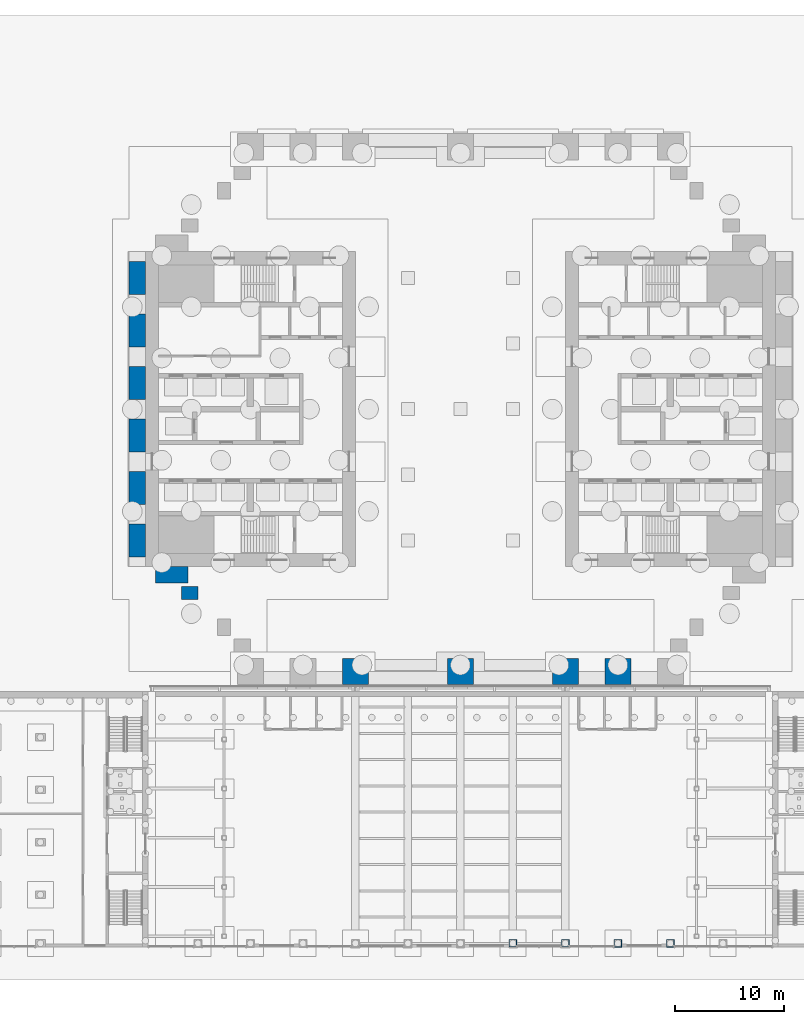
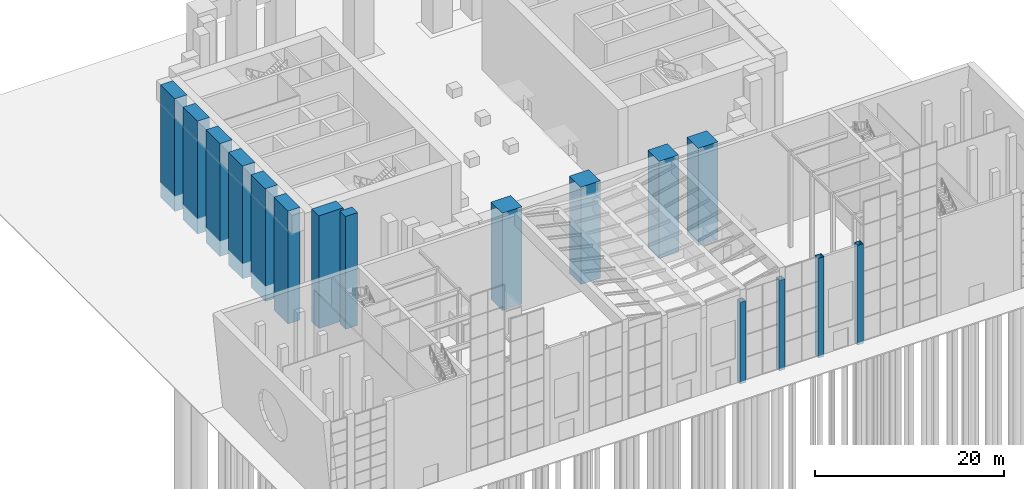
# One storey, part 5 of 58: 16 columns.
"""IFC4 building model written with IfcOpenShell, lengths in metres."""

from ifc_helpers import new_model, si_unit, direction, frame, origin, origin_2d, place, context, subcontext, project, spatial, rectangle, hollow_rectangle, extrude, material, material_profile, profile_set, type_object, element, save


model = new_model("IFC4")

# Units and contexts
model_context = context("Model", 3, precision=1e-05, world=origin(), true_north=direction((0.0, 1.0)))
body_context = subcontext(model_context, "Body", "Model", "MODEL_VIEW")
ifc_project = project(units=[si_unit("LENGTHUNIT", "METRE"), si_unit("AREAUNIT", "SQUARE_METRE"), si_unit("VOLUMEUNIT", "CUBIC_METRE"), si_unit("PLANEANGLEUNIT", "RADIAN"), si_unit("MASSUNIT", "GRAM", prefix="KILO")], contexts=[model_context])

# Site, building, storey
site_placement = place(None, origin())
site = spatial("IfcSite", under=ifc_project, at=site_placement, CompositionType="ELEMENT")
building_placement = place(site_placement, origin())
building = spatial("IfcBuilding", under=site, at=building_placement, Name="Baori Bourse Tower", CompositionType="ELEMENT")
storey_placement = place(building_placement, origin())
storey = spatial("IfcBuildingStorey", under=building, at=storey_placement, Name="L00", CompositionType="ELEMENT", Elevation=0.0)

# Columns
ifc_material_1 = material(Name="Concrete f'c 60 MPa", Category="concrete")
ifc_material_profile_1 = material_profile(ifc_material_1, rectangle(XDim=1.199951171875, YDim=1.5, at=origin_2d()), Name="RC 1200x1500")
ifc_profile_set_1 = profile_set([ifc_material_profile_1], Name="Concrete f'c 60 MPa")
column_type_1 = type_object("IfcColumnType", Name="FN2 Brick pilaster", PredefinedType="PILASTER", material=ifc_profile_set_1)
column_1_placement = place(storey_placement, frame((4.050048828125, 7.199951171875, -2.0), z_axis=(0.0, 0.0, 1.0), x_axis=(0.0, 1.0, 0.0)))
element("IfcColumn", 1, at=column_1_placement, inside=storey, type_object=column_type_1, Name="Brick pilaster L00 23", PredefinedType="PILASTER", context=body_context, shape_type="SweptSolid", body=[
    extrude(rectangle(XDim=1.199951171875, YDim=1.5, at=origin_2d()), origin(), (0.0, 0.0, 1.0), 14.60009765625),
])
ifc_material_2 = material(Name="Concrete f'c 60 MPa", Category="concrete")
ifc_material_profile_2 = material_profile(ifc_material_2, rectangle(XDim=3.0, YDim=1.5, at=origin_2d()), Name="RC 3000x1500")
ifc_profile_set_2 = profile_set([ifc_material_profile_2], Name="Concrete f'c 60 MPa")
column_type_2 = type_object("IfcColumnType", Name="FN4 Brick flank pilaster 3000x1500", PredefinedType="PILASTER", material=ifc_profile_set_2)
for number, where, z_axis, x_axis, name in (
    (2, (-0.75, 12.0, -2.0), (0.0, 0.0, 1.0), (0.0, 1.0, 0.0), "Brick pilaster L00 10"),
    (3, (-0.75, 16.800048828125, -2.0), (0.0, 0.0, 1.0), (0.0, 1.0, 0.0), "Brick pilaster L00 11"),
    (4, (-0.75, 21.60009765625, -2.0), (0.0, 0.0, 1.0), (0.0, 1.0, 0.0), "Brick pilaster L00 12"),
    (5, (-0.75, 26.39990234375, -2.0), (0.0, 0.0, 1.0), (0.0, 1.0, 0.0), "Brick pilaster L00 13"),
    (6, (-0.75, 31.199951171875, -2.0), (0.0, 0.0, 1.0), (0.0, 1.0, 0.0), "Brick pilaster L00 14"),
    (7, (-0.75, 36.0, -2.0), (0.0, 0.0, 1.0), (0.0, 1.0, 0.0), "Brick pilaster L00 15"),
    (8, (2.39990234375, 8.85009765625, -2.0), (0.0, 0.0, 1.0), (1.0, 0.0, 0.0), "Brick pilaster L00 16"),
):
    element("IfcColumn", number, at=place(storey_placement, frame(where, z_axis=z_axis, x_axis=x_axis)), inside=storey, type_object=column_type_2, Name=name, PredefinedType="PILASTER", context=body_context, shape_type="SweptSolid", body=[
        extrude(rectangle(XDim=3.0, YDim=1.5, at=origin_2d()), origin(), (0.0, 0.0, 1.0), 14.60009765625),
    ])
ifc_material_3 = material(Name="Steel A572 Gr 50", Category="steel")
ifc_material_profile_3 = material_profile(ifc_material_3, hollow_rectangle(XDim=0.699951171875, YDim=0.699951171875, WallThickness=0.031982421875, at=origin_2d()), Name="BOX 700x700x32")
ifc_profile_set_3 = profile_set([ifc_material_profile_3], Name="Steel A572 Gr 50")
column_type_3 = type_object("IfcColumnType", Name="Hall box column 700", PredefinedType="COLUMN", material=ifc_profile_set_3)
column_2_placement = place(storey_placement, frame((33.60009765625, -24.85009765625, -0.300048828125), z_axis=(0.0, 0.0, 1.0), x_axis=(1.0, 0.0, 0.0)))
element("IfcColumn", 9, at=column_2_placement, inside=storey, type_object=column_type_3, Name="wing/L00/hallcol/007", PredefinedType="COLUMN", context=body_context, shape_type="SweptSolid", body=[
    extrude(hollow_rectangle(XDim=0.699951171875, YDim=0.699951171875, WallThickness=0.031982421875, at=origin_2d()), origin(), (0.0, 0.0, 1.0), 10.573486328125),
])
column_3_placement = place(storey_placement, frame((38.39990234375, -24.85009765625, -0.300048828125), z_axis=(0.0, 0.0, 1.0), x_axis=(1.0, 0.0, 0.0)))
element("IfcColumn", 10, at=column_3_placement, inside=storey, type_object=column_type_3, Name="wing/L00/hallcol/008", PredefinedType="COLUMN", context=body_context, shape_type="SweptSolid", body=[
    extrude(hollow_rectangle(XDim=0.699951171875, YDim=0.699951171875, WallThickness=0.031982421875, at=origin_2d()), origin(), (0.0, 0.0, 1.0), 11.729248046875),
])
for number, where, z_axis, x_axis, name in (
    (11, (43.199951171875, -24.85009765625, -0.300048828125), (0.0, 0.0, 1.0), (1.0, 0.0, 0.0), "wing/L00/hallcol/009"),
    (12, (48.0, -24.85009765625, -0.300048828125), (0.0, 0.0, 1.0), (1.0, 0.0, 0.0), "wing/L00/hallcol/010"),
):
    element("IfcColumn", number, at=place(storey_placement, frame(where, z_axis=z_axis, x_axis=x_axis)), inside=storey, type_object=column_type_3, Name=name, PredefinedType="COLUMN", context=body_context, shape_type="SweptSolid", body=[
        extrude(hollow_rectangle(XDim=0.699951171875, YDim=0.699951171875, WallThickness=0.031982421875, at=origin_2d()), origin(), (0.0, 0.0, 1.0), 12.900146484375),
    ])
ifc_material_4 = material(Name="Concrete f'c 70 MPa", Category="concrete")
ifc_material_profile_4 = material_profile(ifc_material_4, rectangle(XDim=2.39990234375, YDim=2.39990234375, at=origin_2d()), Name="RC 2400x2400")
ifc_profile_set_4 = profile_set([ifc_material_profile_4], Name="Concrete f'c 70 MPa")
column_type_4 = type_object("IfcColumnType", Name="Perimeter column RC 2400x2400", PredefinedType="COLUMN", material=ifc_profile_set_4)
for number, where, z_axis, x_axis, name in (
    (13, (19.199951171875, 0.0, 0.0), (0.0, 0.0, 1.0), (1.0, 0.0, 0.0), "Perimeter column L00"),
    (14, (28.800048828125, 0.0, 0.0), (0.0, 0.0, 1.0), (1.0, 0.0, 0.0), "Perimeter column L00"),
    (15, (38.39990234375, 0.0, 0.0), (0.0, 0.0, 1.0), (1.0, 0.0, 0.0), "Perimeter column L00"),
    (16, (43.199951171875, 0.0, 0.0), (0.0, 0.0, 1.0), (1.0, 0.0, 0.0), "Perimeter column L00"),
):
    element("IfcColumn", number, at=place(storey_placement, frame(where, z_axis=z_axis, x_axis=x_axis)), inside=storey, type_object=column_type_4, Name=name, PredefinedType="COLUMN", context=body_context, shape_type="SweptSolid", body=[
        extrude(rectangle(XDim=2.39990234375, YDim=2.39990234375, at=origin_2d()), origin(), (0.0, 0.0, 1.0), 12.60009765625),
    ])

save(model, "model.ifc")
